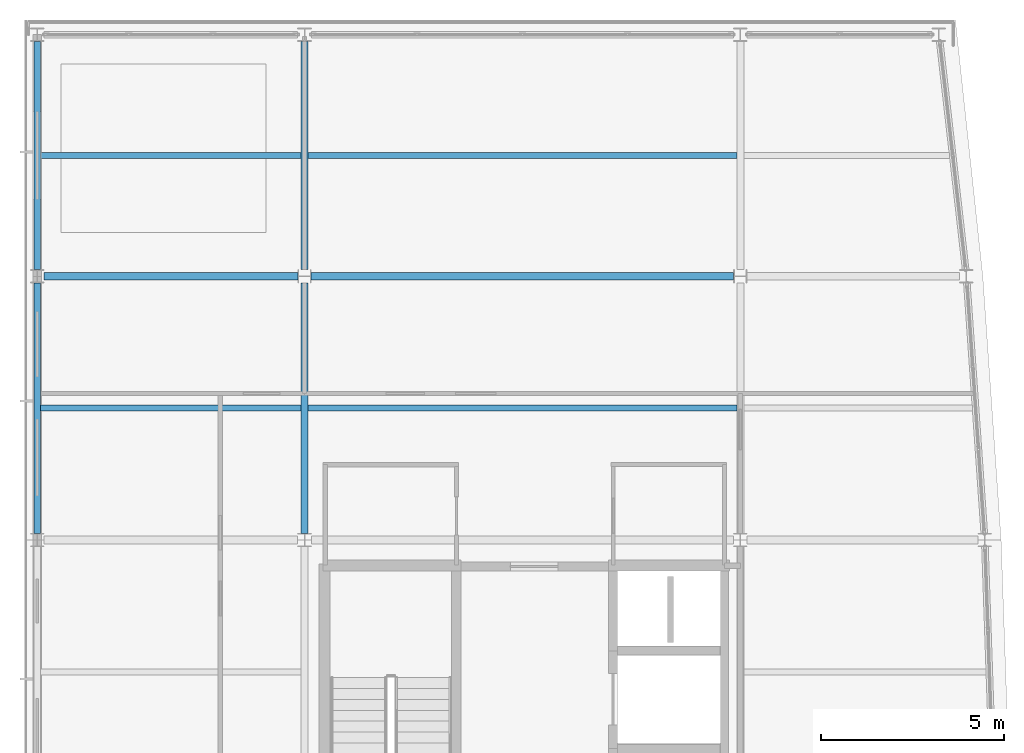
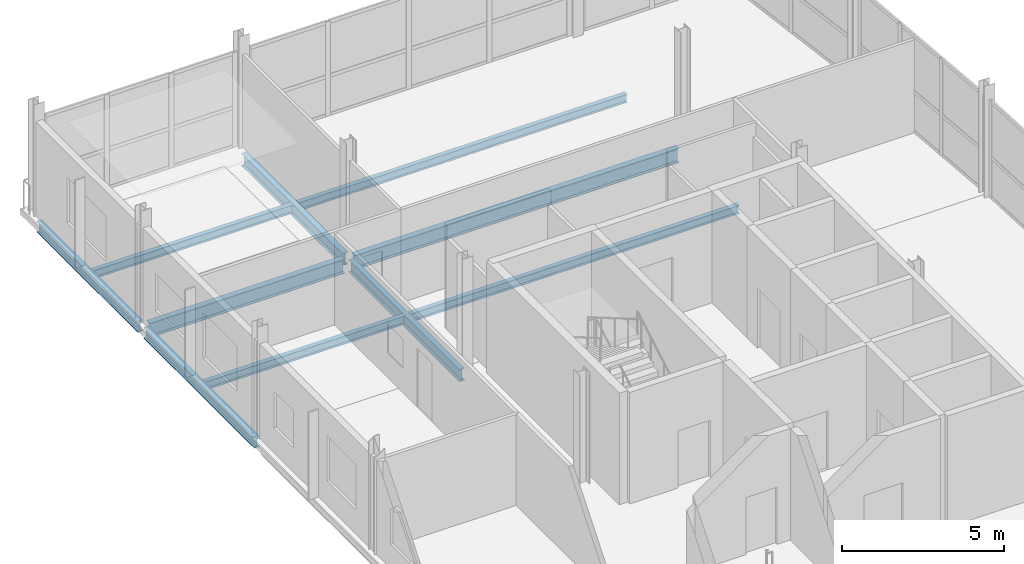
# One storey, part 6 of 16: 10 beams.
"""IFC4 building model written with IfcOpenShell, lengths in metres."""

from ifc_helpers import new_model, si_unit, direction, frame, origin, origin_2d, place, context, subcontext, project, spatial, i_section, extrude, material, material_profile, profile_set, type_object, element, save


model = new_model("IFC4")

# Units and contexts
model_context = context("Model", 3, precision=1e-05, world=origin(), true_north=direction((0.0, 1.0)))
body_context = subcontext(model_context, "Body", "Model", "MODEL_VIEW")
ifc_project = project(units=[si_unit("LENGTHUNIT", "METRE"), si_unit("AREAUNIT", "SQUARE_METRE"), si_unit("VOLUMEUNIT", "CUBIC_METRE"), si_unit("PLANEANGLEUNIT", "RADIAN"), si_unit("MASSUNIT", "GRAM", prefix="KILO")], contexts=[model_context])

# Site, building, storey
site_placement = place(None, origin())
site = spatial("IfcSite", under=ifc_project, at=site_placement, CompositionType="ELEMENT")
building_placement = place(site_placement, origin())
building = spatial("IfcBuilding", under=site, at=building_placement, Name="Quillay Park Conservatory", CompositionType="ELEMENT")
storey_placement = place(building_placement, frame((0.0, 0.0, 43.5)))
storey = spatial("IfcBuildingStorey", under=building, at=storey_placement, Name="L10", CompositionType="ELEMENT", Elevation=43.5)

# Beams
ifc_material_1 = material(Name="Steel ASTM A992 Grade 50", Category="steel")
ifc_material_profile_1 = material_profile(ifc_material_1, i_section(OverallWidth=0.166015625, OverallDepth=0.31298828125, WebThickness=0.006591796875, FlangeThickness=0.01123046875, FilletRadius=0.010009765625, at=origin_2d()), Name="W310x45")
ifc_profile_set_1 = profile_set([ifc_material_profile_1], Name="Steel ASTM A992 Grade 50")
beam_type_1 = type_object("IfcBeamType", Name="COMPOSITE FLOOR JOIST W310 X45", PredefinedType="JOIST", material=ifc_profile_set_1)
beam_1_placement = place(storey_placement, frame((0.639892578125, 103.199951171875, -0.3564453125), z_axis=(1.0, 0.0, 0.0), x_axis=(0.0, 1.0, 0.0)))
element("IfcBeam", 1, at=beam_1_placement, inside=storey, type_object=beam_type_1, Name="L10 beam BM-J-0758", PredefinedType="JOIST", context=body_context, shape_type="SweptSolid", body=[
    extrude(i_section(OverallWidth=0.166015625, OverallDepth=0.31298828125, WebThickness=0.006591796875, FlangeThickness=0.01123046875, FilletRadius=0.010009765625, at=origin_2d()), origin(), (0.0, 0.0, 1.0), 7.114013671875),
])
beam_2_placement = place(storey_placement, frame((7.946044921875, 103.199951171875, -0.3564453125), z_axis=(1.0, 0.0, 0.0), x_axis=(0.0, 1.0, 0.0)))
element("IfcBeam", 2, at=beam_2_placement, inside=storey, type_object=beam_type_1, Name="L10 beam BM-J-0760", PredefinedType="JOIST", context=body_context, shape_type="SweptSolid", body=[
    extrude(i_section(OverallWidth=0.166015625, OverallDepth=0.31298828125, WebThickness=0.006591796875, FlangeThickness=0.01123046875, FilletRadius=0.010009765625, at=origin_2d()), origin(), (0.0, 0.0, 1.0), 11.7080078125),
])
beam_3_placement = place(storey_placement, frame((0.639892578125, 110.10009765625, -0.3564453125), z_axis=(1.0, 0.0, 0.0), x_axis=(0.0, 1.0, 0.0)))
element("IfcBeam", 3, at=beam_3_placement, inside=storey, type_object=beam_type_1, Name="L10 beam BM-J-0765", PredefinedType="JOIST", context=body_context, shape_type="SweptSolid", body=[
    extrude(i_section(OverallWidth=0.166015625, OverallDepth=0.31298828125, WebThickness=0.006591796875, FlangeThickness=0.01123046875, FilletRadius=0.010009765625, at=origin_2d()), origin(), (0.0, 0.0, 1.0), 7.114013671875),
])
beam_4_placement = place(storey_placement, frame((7.946044921875, 110.10009765625, -0.3564453125), z_axis=(1.0, 0.0, 0.0), x_axis=(0.0, 1.0, 0.0)))
element("IfcBeam", 4, at=beam_4_placement, inside=storey, type_object=beam_type_1, Name="L10 beam BM-J-0767", PredefinedType="JOIST", context=body_context, shape_type="SweptSolid", body=[
    extrude(i_section(OverallWidth=0.166015625, OverallDepth=0.31298828125, WebThickness=0.006591796875, FlangeThickness=0.01123046875, FilletRadius=0.010009765625, at=origin_2d()), origin(), (0.0, 0.0, 1.0), 11.7080078125),
])
ifc_material_2 = material(Name="Steel ASTM A992 Grade 50", Category="steel")
ifc_material_profile_2 = material_profile(ifc_material_2, i_section(OverallWidth=0.179931640625, OverallDepth=0.4130859375, WebThickness=0.009765625, FlangeThickness=0.01611328125, FilletRadius=0.011962890625, at=origin_2d()), Name="W410x74")
ifc_profile_set_2 = profile_set([ifc_material_profile_2], Name="Steel ASTM A992 Grade 50")
beam_type_2 = type_object("IfcBeamType", Name="PERIMETER SPANDREL BEAM W410 X74", PredefinedType="SPANDREL", material=ifc_profile_set_2)
beam_5_placement = place(storey_placement, frame((0.550048828125, 99.781982421875, -0.406494140625), z_axis=(0.0, 1.0, 0.0), x_axis=(-1.0, 0.0, 0.0)))
element("IfcBeam", 5, at=beam_5_placement, inside=storey, type_object=beam_type_2, Name="L10 beam BM-SPW-0754", PredefinedType="SPANDREL", context=body_context, shape_type="SweptSolid", body=[
    extrude(i_section(OverallWidth=0.179931640625, OverallDepth=0.4130859375, WebThickness=0.009765625, FlangeThickness=0.01611328125, FilletRadius=0.011962890625, at=origin_2d()), origin(), (0.0, 0.0, 1.0), 6.8359375),
])
beam_6_placement = place(storey_placement, frame((0.550048828125, 106.98193359375, -0.406494140625), z_axis=(0.0, 1.0, 0.0), x_axis=(-1.0, 0.0, 0.0)))
element("IfcBeam", 6, at=beam_6_placement, inside=storey, type_object=beam_type_2, Name="L10 beam BM-SPW-0761", PredefinedType="SPANDREL", context=body_context, shape_type="SweptSolid", body=[
    extrude(i_section(OverallWidth=0.179931640625, OverallDepth=0.4130859375, WebThickness=0.009765625, FlangeThickness=0.01611328125, FilletRadius=0.011962890625, at=origin_2d()), origin(), (0.0, 0.0, 1.0), 6.236083984375),
])
ifc_material_3 = material(Name="Steel ASTM A992 Grade 50", Category="steel")
ifc_material_profile_3 = material_profile(ifc_material_3, i_section(OverallWidth=0.19189453125, OverallDepth=0.462890625, WebThickness=0.010498046875, FlangeThickness=0.017578125, FilletRadius=0.012939453125, at=origin_2d()), Name="W460x89")
ifc_profile_set_3 = profile_set([ifc_material_profile_3], Name="Steel ASTM A992 Grade 50")
beam_type_3 = type_object("IfcBeamType", Name="PRIMARY FLOOR GIRDER W460 X89", PredefinedType="BEAM", material=ifc_profile_set_3)
beam_7_placement = place(storey_placement, frame((7.85009765625, 99.781982421875, -0.431396484375), z_axis=(0.0, 1.0, 0.0), x_axis=(-1.0, 0.0, 0.0)))
element("IfcBeam", 7, at=beam_7_placement, inside=storey, type_object=beam_type_3, Name="L10 beam BM-GNS-0756", PredefinedType="BEAM", context=body_context, shape_type="SweptSolid", body=[
    extrude(i_section(OverallWidth=0.19189453125, OverallDepth=0.462890625, WebThickness=0.010498046875, FlangeThickness=0.017578125, FilletRadius=0.012939453125, at=origin_2d()), origin(), (0.0, 0.0, 1.0), 6.83251953125),
])
beam_8_placement = place(storey_placement, frame((7.85009765625, 106.985595703125, -0.431396484375), z_axis=(0.0, 1.0, 0.0), x_axis=(-1.0, 0.0, 0.0)))
element("IfcBeam", 8, at=beam_8_placement, inside=storey, type_object=beam_type_3, Name="L10 beam BM-GNS-0763", PredefinedType="BEAM", context=body_context, shape_type="SweptSolid", body=[
    extrude(i_section(OverallWidth=0.19189453125, OverallDepth=0.462890625, WebThickness=0.010498046875, FlangeThickness=0.017578125, FilletRadius=0.012939453125, at=origin_2d()), origin(), (0.0, 0.0, 1.0), 6.232421875),
])
ifc_material_4 = material(Name="Steel ASTM A992 Grade 50", Category="steel")
ifc_material_profile_4 = material_profile(ifc_material_4, i_section(OverallWidth=0.2109375, OverallDepth=0.5390625, WebThickness=0.01171875, FlangeThickness=0.018798828125, FilletRadius=0.013916015625, at=origin_2d()), Name="W530x109")
ifc_profile_set_4 = profile_set([ifc_material_profile_4], Name="Steel ASTM A992 Grade 50")
beam_type_4 = type_object("IfcBeamType", Name="PRIMARY FLOOR GIRDER W530 X109", PredefinedType="BEAM", material=ifc_profile_set_4)
beam_9_placement = place(storey_placement, frame((0.735595703125, 106.800048828125, -0.469482421875), z_axis=(1.0, 0.0, 0.0), x_axis=(0.0, 1.0, 0.0)))
element("IfcBeam", 9, at=beam_9_placement, inside=storey, type_object=beam_type_4, Name="L10 beam BM-G-0723", PredefinedType="BEAM", context=body_context, shape_type="SweptSolid", body=[
    extrude(i_section(OverallWidth=0.2109375, OverallDepth=0.5390625, WebThickness=0.01171875, FlangeThickness=0.018798828125, FilletRadius=0.013916015625, at=origin_2d()), origin(), (0.0, 0.0, 1.0), 6.932373046875),
])
beam_10_placement = place(storey_placement, frame((8.031982421875, 106.800048828125, -0.469482421875), z_axis=(1.0, 0.0, 0.0), x_axis=(0.0, 1.0, 0.0)))
element("IfcBeam", 10, at=beam_10_placement, inside=storey, type_object=beam_type_4, Name="L10 beam BM-G-0724", PredefinedType="BEAM", context=body_context, shape_type="SweptSolid", body=[
    extrude(i_section(OverallWidth=0.2109375, OverallDepth=0.5390625, WebThickness=0.01171875, FlangeThickness=0.018798828125, FilletRadius=0.013916015625, at=origin_2d()), origin(), (0.0, 0.0, 1.0), 11.5361328125),
])

save(model, "model.ifc")
